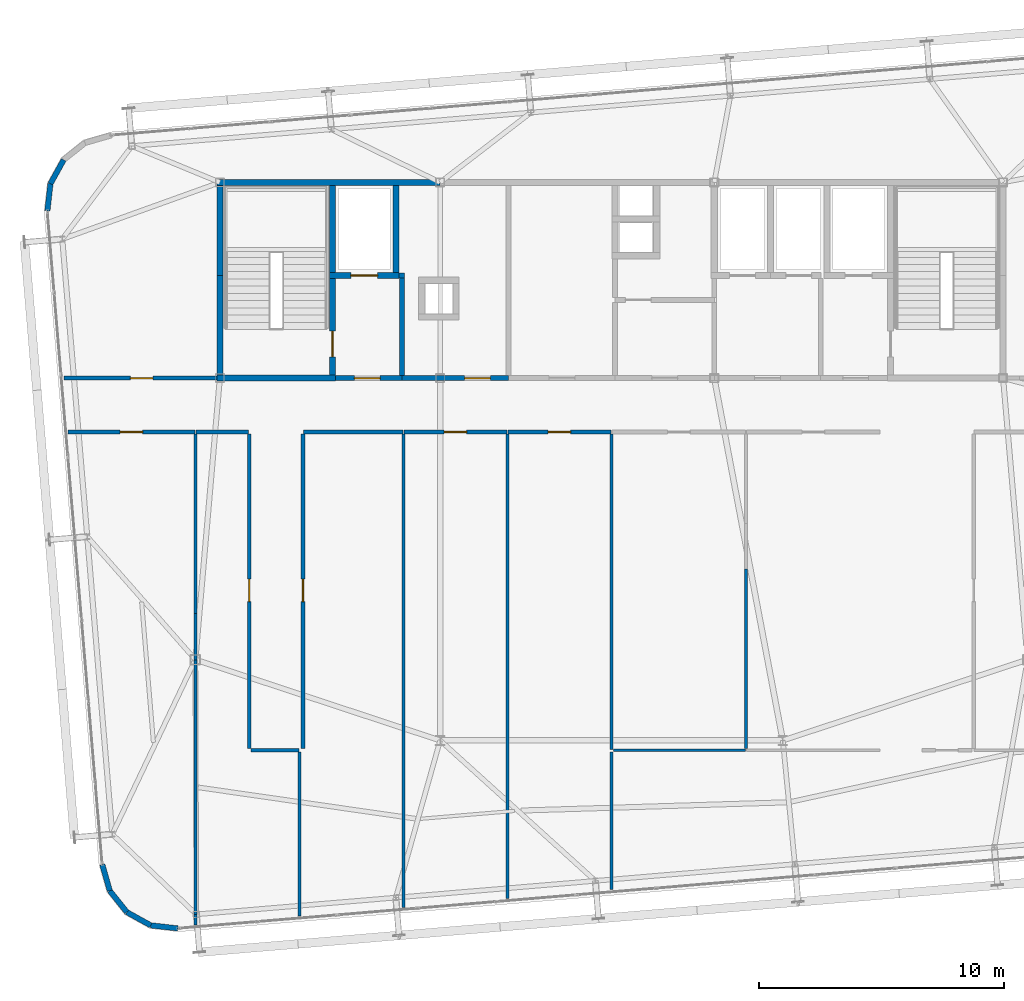
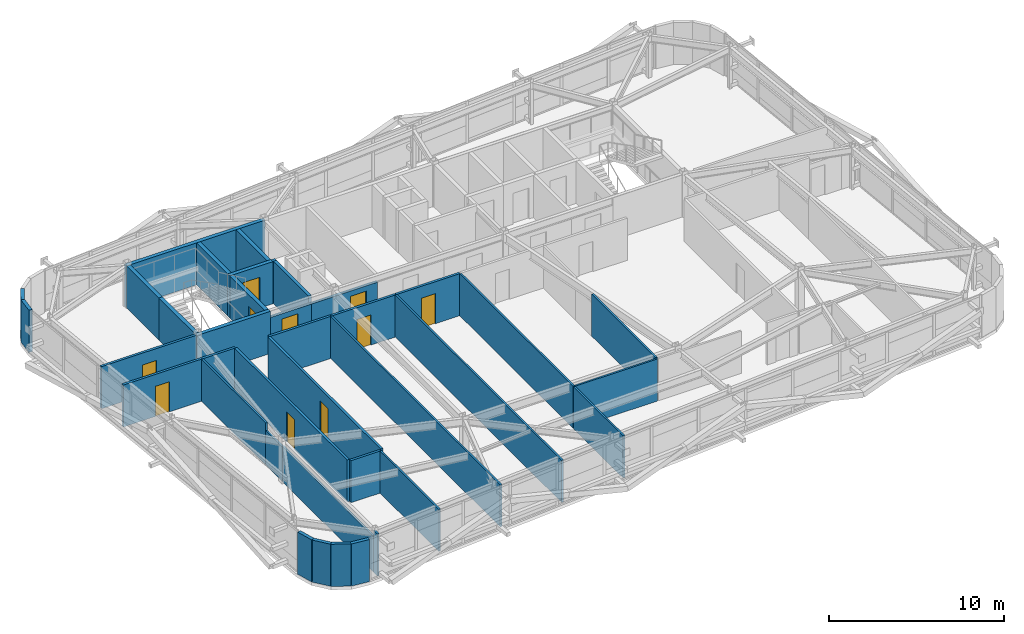
# One storey, part 40 of 44: 38 walls, 10 doors, 10 openings.
"""IFC4 building model written with IfcOpenShell, lengths in metres."""

from ifc_helpers import new_model, si_unit, direction, frame, frame_2d, origin, place, context, subcontext, project, spatial, rectangle, extrude, source, transform, mapped, material, layer, layer_set, type_object, element, fill, save


model = new_model("IFC4")

# Units and contexts
model_context = context("Model", 3, precision=1e-05, world=origin(), true_north=direction((0.0, 1.0)))
body_context = subcontext(model_context, "Body", "Model", "MODEL_VIEW")
ifc_project = project(units=[si_unit("LENGTHUNIT", "METRE"), si_unit("AREAUNIT", "SQUARE_METRE"), si_unit("VOLUMEUNIT", "CUBIC_METRE"), si_unit("PLANEANGLEUNIT", "RADIAN"), si_unit("MASSUNIT", "GRAM", prefix="KILO")], contexts=[model_context])

# Site, building, storey
site_placement = place(None, origin())
site = spatial("IfcSite", under=ifc_project, at=site_placement, CompositionType="ELEMENT")
building_placement = place(site_placement, origin())
building = spatial("IfcBuilding", under=site, at=building_placement, Name="Taldren Reach Tower", CompositionType="ELEMENT")
storey_placement = place(building_placement, frame((0.0, 0.0, 191.449951171875)))
storey = spatial("IfcBuildingStorey", under=building, at=storey_placement, Name="L58", CompositionType="ELEMENT", Elevation=191.449951171875)

# Walls
ifc_material_1 = material(Name="Pale Champagne Anodised Aluminium Cladding", Category="aluminium")
ifc_layer_1 = layer(ifc_material_1, 0.04, Name="Pale Champagne Anodised Aluminium Cladding", Category="aluminium")
ifc_material_2 = material(Name="Mineral Wool Acoustic Insulation", Category="insulation")
ifc_layer_2 = layer(ifc_material_2, 0.06, Name="Mineral Wool Acoustic Insulation", Category="insulation")
ifc_material_3 = material(Name="Steel Gr 350 (C350L0)", Category="steel")
ifc_layer_3 = layer(ifc_material_3, 0.12, Name="Steel Gr 350 (C350L0)", Category="steel")
ifc_layer_set_1 = layer_set([ifc_layer_1, ifc_layer_2, ifc_layer_3], Name="Pale Champagne Aluminium Cladding and Steel Gr 350 Stud Framing")
wall_type_1 = type_object("IfcWallType", Name="EW-CRN-220", PredefinedType="SOLIDWALL", material=ifc_layer_set_1)
shared_shape_1 = source(origin(), body_context, "Body", "SweptSolid", [
    extrude(rectangle(XDim=1.115966796875, YDim=0.219970703125, at=frame_2d((0.55810546875, 0.0))), origin(), (0.0, 0.0, 1.0), 2.929931640625),
])
for number, where, z_axis, x_axis, name in (
    (1, (12.618896484375, 32.9208984375, 0.0), (0.0, 0.0, 1.0), (-0.484100585842, -0.875012355791, 0.0), "Rounded-corner pale-metal facade wall L58-NW3"),
    (2, (12.07861328125, 31.9443359375, 0.0), (0.0, 0.0, 1.0), (-0.112232247342, -0.993682002784, 0.0), "Rounded-corner pale-metal facade wall L58-NW4"),
    (3, (14.19580078125, 4.129638671875, 0.0), (0.0, 0.0, 1.0), (0.276512002475, -0.961010464297, 0.0), "Rounded-corner pale-metal facade wall L58-SW1"),
    (4, (14.50439453125, 3.05712890625, 0.0), (0.0, 0.0, 1.0), (0.623092886403, -0.782147847222, 0.0), "Rounded-corner pale-metal facade wall L58-SW2"),
    (5, (15.19970703125, 2.184326171875, 0.0), (0.0, 0.0, 1.0), (0.875105012065, -0.483933071672, 0.0), "Rounded-corner pale-metal facade wall L58-SW3"),
    (6, (16.17626953125, 1.644287109375, 0.0), (0.0, 0.0, 1.0), (0.993657581277, -0.112448259968, 0.0), "Rounded-corner pale-metal facade wall L58-SW4"),
):
    element("IfcWall", number, at=place(storey_placement, frame(where, z_axis=z_axis, x_axis=x_axis)), inside=storey, type_object=wall_type_1, Name=name, PredefinedType="SOLIDWALL", context=body_context, shape_type="MappedRepresentation", body=[
        mapped(shared_shape_1, transform((0.0, 0.0, 0.0), scale=1.0)),
    ])

# Wall, opening, door
ifc_material_4 = material(Name="Concrete S50 (50 MPa)", Category="concrete")
ifc_layer_4 = layer(ifc_material_4, 0.199951171875)
ifc_layer_set_2 = layer_set([ifc_layer_4], Name="Concrete S50 (50 MPa)")
wall_type_2 = type_object("IfcWallType", Name="IW-CORE-200", PredefinedType="SOLIDWALL", material=ifc_layer_set_2)
shared_shape_2 = source(origin(), body_context, "Body", "SweptSolid", [
    extrude(rectangle(XDim=4.35009765625, YDim=0.199951171875, at=frame_2d((2.175048828125, 0.0))), origin(), (0.0, 0.0, 1.0), 2.469970703125),
])
wall_1_placement = place(storey_placement, frame((30.800048828125, 24.0, 0.0), z_axis=(0.0, 0.0, 1.0), x_axis=(-1.0, 0.0, 0.0)))
wall_1 = element("IfcWall", 7, at=wall_1_placement, inside=storey, type_object=wall_type_2, Name="Rear Core Shear Wall W-INT-L58-033", PredefinedType="SOLIDWALL", context=body_context, shape_type="MappedRepresentation", body=[
    mapped(shared_shape_2, transform((0.0, 0.0, 0.0), scale=1.0)),
])
shared_shape_3 = source(origin(), body_context, "Body", "SweptSolid", [
    extrude(rectangle(XDim=1.050048828125, YDim=2.10009765625, at=frame_2d((0.52490234375, 1.050048828125))), frame((0.0, 0.10986328125, 0.0), z_axis=(0.0, -1.0, 0.0), x_axis=(1.0, 0.0, 0.0)), (0.0, 0.0, 1.0), 0.219970703125),
])
opening_1_placement = place(wall_1_placement, frame((0.75, 0.0, 0.0)))
opening_1 = element("IfcOpeningElement", 8, at=opening_1_placement, cuts=wall_1, Name="Opening DF-105", PredefinedType="OPENING", context=body_context, shape_type="MappedRepresentation", body=[
    mapped(shared_shape_3, transform((0.0, 0.0, 0.0), scale=1.0)),
])
ifc_material_5 = material(Name="Fire-Rated Care and Stair Exit Door")
door_type_1 = type_object("IfcDoorType", Name="ID-FIRE-105", OperationType="NOTDEFINED", PredefinedType="DOOR", material=ifc_material_5)
shared_shape_4 = source(origin(), body_context, "Body", "SweptSolid", [
    extrude(rectangle(XDim=1.050048828125, YDim=2.10009765625, at=frame_2d((0.52490234375, 1.050048828125))), frame((0.0, 0.02490234375, 0.0), z_axis=(0.0, -1.0, 0.0), x_axis=(1.0, 0.0, 0.0)), (0.0, 0.0, 1.0), 0.050048828125),
])
door_1_placement = place(opening_1_placement, frame((1.050048828125, 0.0, 0.0), z_axis=(0.0, 0.0, 1.0), x_axis=(-1.0, 0.0, 0.0)))
door_1 = element("IfcDoor", 9, at=door_1_placement, inside=storey, type_object=door_type_1, Name="Interior Door DR-L58-006", OperationType="SINGLE_SWING_RIGHT", OverallHeight=2.10009765625, OverallWidth=1.050048828125, PredefinedType="DOOR", context=body_context, shape_type="MappedRepresentation", body=[
    mapped(shared_shape_4, transform((0.0, 0.0, 0.0), scale=1.0)),
])
fill(opening_1, door_1)

# Walls
ifc_material_6 = material(Name="Insulated Residential Stud Partition", Category="gypsum")
ifc_layer_5 = layer(ifc_material_6, 0.1201171875)
ifc_layer_set_3 = layer_set([ifc_layer_5], Name="Insulated Residential Stud Partition")
wall_type_3 = type_object("IfcWallType", Name="IW-PART-120", PredefinedType="PARTITIONING", material=ifc_layer_set_3)
shared_shape_5 = source(origin(), body_context, "Body", "SweptSolid", [
    extrude(rectangle(XDim=5.399658203125, YDim=0.1201171875, at=frame_2d((2.69970703125, 0.0))), origin(), (0.0, 0.0, 1.0), 2.929931640625),
])
wall_2_placement = place(storey_placement, frame((35.080078125, 8.800048828125, 0.0), z_axis=(0.0, 0.0, 1.0), x_axis=(1.0, 0.0, 0.0)))
element("IfcWall", 10, at=wall_2_placement, inside=storey, type_object=wall_type_3, Name="Interior Partition Wall W-INT-L58-056", PredefinedType="PARTITIONING", context=body_context, shape_type="MappedRepresentation", body=[
    mapped(shared_shape_5, transform((0.0, 0.0, 0.0), scale=1.0)),
])
ifc_material_7 = material(Name="Fire-Rated Acoustic Plasterboard Stud Wall", Category="gypsum")
ifc_layer_6 = layer(ifc_material_7, 0.159912109375)
ifc_layer_set_4 = layer_set([ifc_layer_6], Name="Fire-Rated Acoustic Plasterboard Stud Wall")
wall_type_4 = type_object("IfcWallType", Name="IW-FIRE-160", PredefinedType="PARTITIONING", material=ifc_layer_set_4)
shared_shape_6 = source(origin(), body_context, "Body", "SweptSolid", [
    extrude(rectangle(XDim=4.059326171875, YDim=0.159912109375, at=frame_2d((2.02978515625, 0.0))), origin(), (0.0, 0.0, 1.0), 2.929931640625),
])
wall_3_placement = place(storey_placement, frame((26.479736328125, 21.800048828125, 0.0), z_axis=(0.0, 0.0, 1.0), x_axis=(-1.0, 0.0, 0.0)))
element("IfcWall", 11, at=wall_3_placement, inside=storey, type_object=wall_type_4, Name="Interior Partition Wall W-INT-L58-046", PredefinedType="PARTITIONING", context=body_context, shape_type="MappedRepresentation", body=[
    mapped(shared_shape_6, transform((0.0, 0.0, 0.0), scale=1.0)),
])
shared_shape_7 = source(origin(), body_context, "Body", "SweptSolid", [
    extrude(rectangle(XDim=2.159423828125, YDim=0.159912109375, at=frame_2d((1.07958984375, 0.0))), origin(), (0.0, 0.0, 1.0), 2.929931640625),
])
wall_4_placement = place(storey_placement, frame((20.1796875, 21.800048828125, 0.0), z_axis=(0.0, 0.0, 1.0), x_axis=(-1.0, 0.0, 0.0)))
element("IfcWall", 12, at=wall_4_placement, inside=storey, type_object=wall_type_4, Name="Interior Partition Wall W-INT-L58-043", PredefinedType="PARTITIONING", context=body_context, shape_type="MappedRepresentation", body=[
    mapped(shared_shape_7, transform((0.0, 0.0, 0.0), scale=1.0)),
])
shared_shape_8 = source(origin(), body_context, "Body", "SweptSolid", [
    extrude(rectangle(XDim=4.0, YDim=0.199951171875, at=frame_2d((2.0, 0.0))), origin(), (0.0, 0.0, 1.0), 2.929931640625),
])
wall_5_placement = place(storey_placement, frame((26.449951171875, 24.10009765625, 0.0), z_axis=(0.0, 0.0, 1.0), x_axis=(0.0, 1.0, 0.0)))
element("IfcWall", 13, at=wall_5_placement, inside=storey, type_object=wall_type_2, Name="Rear Core Shear Wall W-INT-L58-006", PredefinedType="SOLIDWALL", context=body_context, shape_type="MappedRepresentation", body=[
    mapped(shared_shape_8, transform((0.0, 0.0, 0.0), scale=1.0)),
])
shared_shape_9 = source(origin(), body_context, "Body", "SweptSolid", [
    extrude(rectangle(XDim=7.32373046875, YDim=0.1201171875, at=frame_2d((3.661865234375, 0.0))), origin(), (0.0, 0.0, 1.0), 2.929931640625),
])
wall_6_placement = place(storey_placement, frame((18.0, 21.719970703125, 0.0), z_axis=(0.0, 0.0, 1.0), x_axis=(0.0, -1.0, 0.0)))
element("IfcWall", 14, at=wall_6_placement, inside=storey, type_object=wall_type_3, Name="Interior Partition Wall W-INT-L58-060", PredefinedType="PARTITIONING", context=body_context, shape_type="MappedRepresentation", body=[
    mapped(shared_shape_9, transform((0.0, 0.0, 0.0), scale=1.0)),
])
shared_shape_10 = source(origin(), body_context, "Body", "SweptSolid", [
    extrude(rectangle(XDim=1.9013671875, YDim=0.1201171875, at=frame_2d((0.95068359375, 0.0))), origin(), (0.0, 0.0, 1.0), 2.39697265625),
])
wall_7_placement = place(storey_placement, frame((18.0, 14.396240234375, 0.0), z_axis=(0.0, 0.0, 1.0), x_axis=(0.0, -1.0, 0.0)))
element("IfcWall", 15, at=wall_7_placement, inside=storey, type_object=wall_type_3, Name="Interior Partition Wall W-INT-L58-060 part 2", PredefinedType="PARTITIONING", context=body_context, shape_type="MappedRepresentation", body=[
    mapped(shared_shape_10, transform((0.0, 0.0, 0.0), scale=1.0)),
])
ifc_material_8 = material(Name="Concrete S65 (65 MPa)", Category="concrete")
ifc_layer_7 = layer(ifc_material_8, 0.25)
ifc_layer_set_5 = layer_set([ifc_layer_7], Name="Concrete S65 (65 MPa)")
wall_type_5 = type_object("IfcWallType", Name="IW-CORE-250", PredefinedType="SHEAR", material=ifc_layer_set_5)
shared_shape_11 = source(origin(), body_context, "Body", "SweptSolid", [
    extrude(rectangle(XDim=9.125, YDim=0.25, at=frame_2d((4.5625, 0.0))), origin(), (0.0, 0.0, 1.0), 2.929931640625),
])
wall_8_placement = place(storey_placement, frame((18.875, 32.0, 0.0), z_axis=(0.0, 0.0, 1.0), x_axis=(1.0, 0.0, 0.0)))
element("IfcWall", 16, at=wall_8_placement, inside=storey, type_object=wall_type_5, Name="Rear Core Shear Wall W-CORE-L58-NORTH1", PredefinedType="SHEAR", context=body_context, shape_type="MappedRepresentation", body=[
    mapped(shared_shape_11, transform((0.0, 0.0, 0.0), scale=1.0)),
])
shared_shape_12 = source(origin(), body_context, "Body", "SweptSolid", [
    extrude(rectangle(XDim=4.074951171875, YDim=0.25, at=frame_2d((2.03759765625, 0.0))), origin(), (0.0, 0.0, 1.0), 2.929931640625),
])
wall_9_placement = place(storey_placement, frame((19.0, 24.125, 0.0), z_axis=(0.0, 0.0, 1.0), x_axis=(0.0, 1.0, 0.0)))
element("IfcWall", 17, at=wall_9_placement, inside=storey, type_object=wall_type_5, Name="Rear Core Shear Wall W-CORE-L58-WEST1", PredefinedType="SHEAR", context=body_context, shape_type="MappedRepresentation", body=[
    mapped(shared_shape_12, transform((0.0, 0.0, 0.0), scale=1.0)),
])
shared_shape_13 = source(origin(), body_context, "Body", "SweptSolid", [
    extrude(rectangle(XDim=3.675048828125, YDim=0.25, at=frame_2d((1.83740234375, 0.0))), origin(), (0.0, 0.0, 1.0), 2.929931640625),
])
wall_10_placement = place(storey_placement, frame((19.0, 28.199951171875, 0.0), z_axis=(0.0, 0.0, 1.0), x_axis=(0.0, 1.0, 0.0)))
element("IfcWall", 18, at=wall_10_placement, inside=storey, type_object=wall_type_5, Name="Rear Core Shear Wall W-CORE-L58-WEST2", PredefinedType="SHEAR", context=body_context, shape_type="MappedRepresentation", body=[
    mapped(shared_shape_13, transform((0.0, 0.0, 0.0), scale=1.0)),
])
shared_shape_14 = source(origin(), body_context, "Body", "SweptSolid", [
    extrude(rectangle(XDim=3.550048828125, YDim=0.25, at=frame_2d((1.77490234375, 0.0))), origin(), (0.0, 0.0, 1.0), 2.929931640625),
])
for number, where, z_axis, x_axis, name in (
    (19, (23.60009765625, 28.324951171875, 0.0), (0.0, 0.0, 1.0), (0.0, 1.0, 0.0), "Rear Core Shear Wall W-INT-L58-001"),
    (20, (26.199951171875, 28.324951171875, 0.0), (0.0, 0.0, 1.0), (0.0, 1.0, 0.0), "Rear Core Shear Wall W-INT-L58-005"),
):
    element("IfcWall", number, at=place(storey_placement, frame(where, z_axis=z_axis, x_axis=x_axis)), inside=storey, type_object=wall_type_5, Name=name, PredefinedType="SHEAR", context=body_context, shape_type="MappedRepresentation", body=[
        mapped(shared_shape_14, transform((0.0, 0.0, 0.0), scale=1.0)),
    ])

# Wall, opening, door
shared_shape_15 = source(origin(), body_context, "Body", "SweptSolid", [
    extrude(rectangle(XDim=3.949951171875, YDim=0.25, at=frame_2d((1.97509765625, 0.0))), origin(), (0.0, 0.0, 1.0), 2.929931640625),
])
wall_11_placement = place(storey_placement, frame((23.60009765625, 24.125, 0.0), z_axis=(0.0, 0.0, 1.0), x_axis=(0.0, 1.0, 0.0)))
wall_11 = element("IfcWall", 21, at=wall_11_placement, inside=storey, type_object=wall_type_5, Name="Rear Core Shear Wall W-INT-L58-002", PredefinedType="SHEAR", context=body_context, shape_type="MappedRepresentation", body=[
    mapped(shared_shape_15, transform((0.0, 0.0, 0.0), scale=1.0)),
])
shared_shape_16 = source(origin(), body_context, "Body", "SweptSolid", [
    extrude(rectangle(XDim=1.050048828125, YDim=2.10009765625, at=frame_2d((0.52490234375, 1.050048828125))), frame((0.0, 0.135009765625, 0.0), z_axis=(0.0, -1.0, 0.0), x_axis=(1.0, 0.0, 0.0)), (0.0, 0.0, 1.0), 0.27001953125),
])
opening_2_placement = place(wall_11_placement, frame((0.75, 0.0, 0.0)))
opening_2 = element("IfcOpeningElement", 22, at=opening_2_placement, cuts=wall_11, Name="Opening DF-105", PredefinedType="OPENING", context=body_context, shape_type="MappedRepresentation", body=[
    mapped(shared_shape_16, transform((0.0, 0.0, 0.0), scale=1.0)),
])
door_2_placement = place(opening_2_placement, origin())
door_2 = element("IfcDoor", 23, at=door_2_placement, inside=storey, type_object=door_type_1, Name="Fire Exit Stair Door DR-L58-001", OperationType="SINGLE_SWING_LEFT", OverallHeight=2.10009765625, OverallWidth=1.050048828125, PredefinedType="DOOR", context=body_context, shape_type="MappedRepresentation", body=[
    mapped(shared_shape_4, transform((0.0, 0.0, 0.0), scale=1.0)),
])
fill(opening_2, door_2)

# Wall
shared_shape_17 = source(origin(), body_context, "Body", "SweptSolid", [
    extrude(rectangle(XDim=4.85009765625, YDim=0.25, at=frame_2d((2.425048828125, 0.0))), origin(), (0.0, 0.0, 1.0), 2.929931640625),
])
wall_12_placement = place(storey_placement, frame((18.875, 24.0, 0.0), z_axis=(0.0, 0.0, 1.0), x_axis=(1.0, 0.0, 0.0)))
element("IfcWall", 24, at=wall_12_placement, inside=storey, type_object=wall_type_5, Name="Rear Core Shear Wall W-INT-L58-003", PredefinedType="SHEAR", context=body_context, shape_type="MappedRepresentation", body=[
    mapped(shared_shape_17, transform((0.0, 0.0, 0.0), scale=1.0)),
])

# Wall, opening, door
shared_shape_18 = source(origin(), body_context, "Body", "SweptSolid", [
    extrude(rectangle(XDim=2.849853515625, YDim=0.25, at=frame_2d((1.4248046875, 0.0))), origin(), (0.0, 0.0, 1.0), 2.929931640625),
])
wall_13_placement = place(storey_placement, frame((23.47509765625, 28.199951171875, 0.0), z_axis=(0.0, 0.0, 1.0), x_axis=(1.0, 0.0, 0.0)))
wall_13 = element("IfcWall", 25, at=wall_13_placement, inside=storey, type_object=wall_type_5, Name="Rear Core Shear Wall W-INT-L58-004", PredefinedType="SHEAR", context=body_context, shape_type="MappedRepresentation", body=[
    mapped(shared_shape_18, transform((0.0, 0.0, 0.0), scale=1.0)),
])
shared_shape_19 = source(origin(), body_context, "Body", "SweptSolid", [
    extrude(rectangle(XDim=1.10009765625, YDim=2.14990234375, at=frame_2d((0.550048828125, 1.074951171875))), frame((0.0, 0.135009765625, 0.0), z_axis=(0.0, -1.0, 0.0), x_axis=(1.0, 0.0, 0.0)), (0.0, 0.0, 1.0), 0.27001953125),
])
opening_3_placement = place(wall_13_placement, frame((0.875, 0.0, 0.0)))
opening_3 = element("IfcOpeningElement", 26, at=opening_3_placement, cuts=wall_13, Name="Opening LD-FL1", PredefinedType="OPENING", context=body_context, shape_type="MappedRepresentation", body=[
    mapped(shared_shape_19, transform((0.0, 0.0, 0.0), scale=1.0)),
])
ifc_material_9 = material(Name="Stainless Steel Gr 316 Emergency Lift Landing Door", Category="steel")
door_type_2 = type_object("IfcDoorType", Name="LD-EMG-110", OperationType="SLIDING_TO_LEFT", PredefinedType="DOOR", material=ifc_material_9)
shared_shape_20 = source(origin(), body_context, "Body", "SweptSolid", [
    extrude(rectangle(XDim=1.10009765625, YDim=2.14990234375, at=frame_2d((0.550048828125, 1.074951171875))), frame((0.0, 0.02490234375, 0.0), z_axis=(0.0, -1.0, 0.0), x_axis=(1.0, 0.0, 0.0)), (0.0, 0.0, 1.0), 0.050048828125),
])
door_3_placement = place(opening_3_placement, origin())
door_3 = element("IfcDoor", 27, at=door_3_placement, inside=storey, type_object=door_type_2, Name="Lift Landing Door LD-FL1-L58", OperationType="SLIDING_TO_LEFT", OverallHeight=2.14990234375, OverallWidth=1.10009765625, PredefinedType="DOOR", context=body_context, shape_type="MappedRepresentation", body=[
    mapped(shared_shape_20, transform((0.0, 0.0, 0.0), scale=1.0)),
])
fill(opening_3, door_3)

shared_shape_21 = source(origin(), body_context, "Body", "SweptSolid", [
    extrude(rectangle(XDim=2.724853515625, YDim=0.199951171875, at=frame_2d((1.3623046875, 0.0))), origin(), (0.0, 0.0, 1.0), 2.469970703125),
])
wall_14_placement = place(storey_placement, frame((23.72509765625, 24.0, 0.0), z_axis=(0.0, 0.0, 1.0), x_axis=(1.0, 0.0, 0.0)))
wall_14 = element("IfcWall", 28, at=wall_14_placement, inside=storey, type_object=wall_type_2, Name="Rear Core Shear Wall W-INT-L58-007", PredefinedType="SOLIDWALL", context=body_context, shape_type="MappedRepresentation", body=[
    mapped(shared_shape_21, transform((0.0, 0.0, 0.0), scale=1.0)),
])
opening_4_placement = place(wall_14_placement, frame((0.77490234375, 0.0, 0.0)))
opening_4 = element("IfcOpeningElement", 29, at=opening_4_placement, cuts=wall_14, Name="Opening DF-105", PredefinedType="OPENING", context=body_context, shape_type="MappedRepresentation", body=[
    mapped(shared_shape_3, transform((0.0, 0.0, 0.0), scale=1.0)),
])
door_4_placement = place(opening_4_placement, origin())
door_4 = element("IfcDoor", 30, at=door_4_placement, inside=storey, type_object=door_type_1, Name="Interior Door DR-L58-002", OperationType="SINGLE_SWING_LEFT", OverallHeight=2.10009765625, OverallWidth=1.050048828125, PredefinedType="DOOR", context=body_context, shape_type="MappedRepresentation", body=[
    mapped(shared_shape_4, transform((0.0, 0.0, 0.0), scale=1.0)),
])
fill(opening_4, door_4)

shared_shape_22 = source(origin(), body_context, "Body", "SweptSolid", [
    extrude(rectangle(XDim=6.250732421875, YDim=0.159912109375, at=frame_2d((3.12548828125, 0.0))), origin(), (0.0, 0.0, 1.0), 2.929931640625),
])
wall_15_placement = place(storey_placement, frame((12.624267578125, 24.0, 0.0), z_axis=(0.0, 0.0, 1.0), x_axis=(1.0, 0.0, 0.0)))
wall_15 = element("IfcWall", 31, at=wall_15_placement, inside=storey, type_object=wall_type_4, Name="Interior Partition Wall W-INT-L58-040", PredefinedType="PARTITIONING", context=body_context, shape_type="MappedRepresentation", body=[
    mapped(shared_shape_22, transform((0.0, 0.0, 0.0), scale=1.0)),
])
shared_shape_23 = source(origin(), body_context, "Body", "SweptSolid", [
    extrude(rectangle(XDim=0.919921875, YDim=2.10009765625, at=frame_2d((0.4599609375, 1.050048828125))), frame((0.0, 0.08984375, 0.0), z_axis=(0.0, -1.0, 0.0), x_axis=(1.0, 0.0, 0.0)), (0.0, 0.0, 1.0), 0.179931640625),
])
opening_5_placement = place(wall_15_placement, frame((2.7177734375, 0.0, 0.0)))
opening_5 = element("IfcOpeningElement", 32, at=opening_5_placement, cuts=wall_15, Name="Opening DI-092", PredefinedType="OPENING", context=body_context, shape_type="MappedRepresentation", body=[
    mapped(shared_shape_23, transform((0.0, 0.0, 0.0), scale=1.0)),
])
ifc_material_10 = material(Name="Solid-Core Timber Suite Door", Category="wood")
door_type_3 = type_object("IfcDoorType", Name="ID-INT-092", OperationType="NOTDEFINED", PredefinedType="DOOR", material=ifc_material_10)
shared_shape_24 = source(origin(), body_context, "Body", "SweptSolid", [
    extrude(rectangle(XDim=0.919921875, YDim=2.10009765625, at=frame_2d((0.4599609375, 1.050048828125))), frame((0.0, 0.02490234375, 0.0), z_axis=(0.0, -1.0, 0.0), x_axis=(1.0, 0.0, 0.0)), (0.0, 0.0, 1.0), 0.050048828125),
])
door_5_placement = place(opening_5_placement, origin())
door_5 = element("IfcDoor", 33, at=door_5_placement, inside=storey, type_object=door_type_3, Name="Interior Door DR-L58-011", OperationType="SINGLE_SWING_RIGHT", OverallHeight=2.10009765625, OverallWidth=0.919921875, PredefinedType="DOOR", context=body_context, shape_type="MappedRepresentation", body=[
    mapped(shared_shape_24, transform((0.0, 0.0, 0.0), scale=1.0)),
])
fill(opening_5, door_5)

shared_shape_25 = source(origin(), body_context, "Body", "SweptSolid", [
    extrude(rectangle(XDim=12.840087890625, YDim=0.159912109375, at=frame_2d((6.419921875, 0.0))), origin(), (0.0, 0.0, 1.0), 2.929931640625),
])
wall_16_placement = place(storey_placement, frame((20.199951171875, 8.8798828125, 0.0), z_axis=(0.0, 0.0, 1.0), x_axis=(0.0, 1.0, 0.0)))
wall_16 = element("IfcWall", 34, at=wall_16_placement, inside=storey, type_object=wall_type_4, Name="Interior Partition Wall W-INT-L58-042", PredefinedType="PARTITIONING", context=body_context, shape_type="MappedRepresentation", body=[
    mapped(shared_shape_25, transform((0.0, 0.0, 0.0), scale=1.0)),
])
opening_6_placement = place(wall_16_placement, frame((5.98974609375, 0.0, 0.0)))
opening_6 = element("IfcOpeningElement", 35, at=opening_6_placement, cuts=wall_16, Name="Opening DI-092", PredefinedType="OPENING", context=body_context, shape_type="MappedRepresentation", body=[
    mapped(shared_shape_23, transform((0.0, 0.0, 0.0), scale=1.0)),
])
door_6_placement = place(opening_6_placement, origin())
door_6 = element("IfcDoor", 36, at=door_6_placement, inside=storey, type_object=door_type_3, Name="Interior Door DR-L58-013", OperationType="SINGLE_SWING_RIGHT", OverallHeight=2.10009765625, OverallWidth=0.919921875, PredefinedType="DOOR", context=body_context, shape_type="MappedRepresentation", body=[
    mapped(shared_shape_24, transform((0.0, 0.0, 0.0), scale=1.0)),
])
fill(opening_6, door_6)

wall_17_placement = place(storey_placement, frame((22.39990234375, 21.719970703125, 0.0), z_axis=(0.0, 0.0, 1.0), x_axis=(0.0, -1.0, 0.0)))
wall_17 = element("IfcWall", 37, at=wall_17_placement, inside=storey, type_object=wall_type_4, Name="Interior Partition Wall W-INT-L58-045", PredefinedType="PARTITIONING", context=body_context, shape_type="MappedRepresentation", body=[
    mapped(shared_shape_25, transform((0.0, 0.0, 0.0), scale=1.0)),
])
opening_7_placement = place(wall_17_placement, frame((5.93017578125, 0.0, 0.0)))
opening_7 = element("IfcOpeningElement", 38, at=opening_7_placement, cuts=wall_17, Name="Opening DI-092", PredefinedType="OPENING", context=body_context, shape_type="MappedRepresentation", body=[
    mapped(shared_shape_23, transform((0.0, 0.0, 0.0), scale=1.0)),
])
door_7_placement = place(opening_7_placement, origin())
door_7 = element("IfcDoor", 39, at=door_7_placement, inside=storey, type_object=door_type_3, Name="Interior Door DR-L58-014", OperationType="SINGLE_SWING_LEFT", OverallHeight=2.10009765625, OverallWidth=0.919921875, PredefinedType="DOOR", context=body_context, shape_type="MappedRepresentation", body=[
    mapped(shared_shape_24, transform((0.0, 0.0, 0.0), scale=1.0)),
])
fill(opening_7, door_7)

# Wall
shared_shape_26 = source(origin(), body_context, "Body", "SweptSolid", [
    extrude(rectangle(XDim=0.22509765625, YDim=0.199951171875, at=frame_2d((0.112548828125, 0.0))), origin(), (0.0, 0.0, 1.0), 2.929931640625),
])
wall_18_placement = place(storey_placement, frame((26.324951171875, 28.199951171875, 0.0), z_axis=(0.0, 0.0, 1.0), x_axis=(1.0, 0.0, 0.0)))
element("IfcWall", 40, at=wall_18_placement, inside=storey, type_object=wall_type_2, Name="Rear Core Partition Wall W-INT-L58-067", PredefinedType="SOLIDWALL", context=body_context, shape_type="MappedRepresentation", body=[
    mapped(shared_shape_26, transform((0.0, 0.0, 0.0), scale=1.0)),
])

# Wall, opening, door
shared_shape_27 = source(origin(), body_context, "Body", "SweptSolid", [
    extrude(rectangle(XDim=5.18408203125, YDim=0.159912109375, at=frame_2d((2.592041015625, 0.0))), origin(), (0.0, 0.0, 1.0), 2.929931640625),
])
wall_19_placement = place(storey_placement, frame((17.979736328125, 21.800048828125, 0.0), z_axis=(0.0, 0.0, 1.0), x_axis=(-1.0, 0.0, 0.0)))
wall_19 = element("IfcWall", 41, at=wall_19_placement, inside=storey, type_object=wall_type_4, Name="Interior Partition Wall W-INT-L58-041", PredefinedType="PARTITIONING", context=body_context, shape_type="MappedRepresentation", body=[
    mapped(shared_shape_27, transform((0.0, 0.0, 0.0), scale=1.0)),
])
opening_8_placement = place(wall_19_placement, frame((2.132080078125, 0.0, 0.0)))
opening_8 = element("IfcOpeningElement", 42, at=opening_8_placement, cuts=wall_19, Name="Opening DI-092", PredefinedType="OPENING", context=body_context, shape_type="MappedRepresentation", body=[
    mapped(shared_shape_23, transform((0.0, 0.0, 0.0), scale=1.0)),
])
door_8_placement = place(opening_8_placement, origin())
door_8 = element("IfcDoor", 43, at=door_8_placement, inside=storey, type_object=door_type_3, Name="Interior Door DR-L58-012", OperationType="SINGLE_SWING_LEFT", OverallHeight=2.10009765625, OverallWidth=0.919921875, PredefinedType="DOOR", context=body_context, shape_type="MappedRepresentation", body=[
    mapped(shared_shape_24, transform((0.0, 0.0, 0.0), scale=1.0)),
])
fill(opening_8, door_8)

# Wall
shared_shape_28 = source(origin(), body_context, "Body", "SweptSolid", [
    extrude(rectangle(XDim=1.94970703125, YDim=0.159912109375, at=frame_2d((0.974853515625, 0.0))), origin(), (0.0, 0.0, 1.0), 2.929931640625),
])
wall_20_placement = place(storey_placement, frame((22.229736328125, 8.800048828125, 0.0), z_axis=(0.0, 0.0, 1.0), x_axis=(-1.0, 0.0, 0.0)))
element("IfcWall", 44, at=wall_20_placement, inside=storey, type_object=wall_type_4, Name="Interior Partition Wall W-INT-L58-044", PredefinedType="PARTITIONING", context=body_context, shape_type="MappedRepresentation", body=[
    mapped(shared_shape_28, transform((0.0, 0.0, 0.0), scale=1.0)),
])

# Wall, opening, door
shared_shape_29 = source(origin(), body_context, "Body", "SweptSolid", [
    extrude(rectangle(XDim=4.20947265625, YDim=0.159912109375, at=frame_2d((2.104736328125, 0.0))), origin(), (0.0, 0.0, 1.0), 2.929931640625),
])
wall_21_placement = place(storey_placement, frame((30.729736328125, 21.800048828125, 0.0), z_axis=(0.0, 0.0, 1.0), x_axis=(-1.0, 0.0, 0.0)))
wall_21 = element("IfcWall", 45, at=wall_21_placement, inside=storey, type_object=wall_type_4, Name="Interior Partition Wall W-INT-L58-047", PredefinedType="PARTITIONING", context=body_context, shape_type="MappedRepresentation", body=[
    mapped(shared_shape_29, transform((0.0, 0.0, 0.0), scale=1.0)),
])
opening_9_placement = place(wall_21_placement, frame((1.644775390625, 0.0, 0.0)))
opening_9 = element("IfcOpeningElement", 46, at=opening_9_placement, cuts=wall_21, Name="Opening DI-092", PredefinedType="OPENING", context=body_context, shape_type="MappedRepresentation", body=[
    mapped(shared_shape_23, transform((0.0, 0.0, 0.0), scale=1.0)),
])
door_9_placement = place(opening_9_placement, origin())
door_9 = element("IfcDoor", 47, at=door_9_placement, inside=storey, type_object=door_type_3, Name="Interior Door DR-L58-015", OperationType="SINGLE_SWING_RIGHT", OverallHeight=2.10009765625, OverallWidth=0.919921875, PredefinedType="DOOR", context=body_context, shape_type="MappedRepresentation", body=[
    mapped(shared_shape_24, transform((0.0, 0.0, 0.0), scale=1.0)),
])
fill(opening_9, door_9)

wall_22_placement = place(storey_placement, frame((34.979736328125, 21.800048828125, 0.0), z_axis=(0.0, 0.0, 1.0), x_axis=(-1.0, 0.0, 0.0)))
wall_22 = element("IfcWall", 48, at=wall_22_placement, inside=storey, type_object=wall_type_4, Name="Interior Partition Wall W-INT-L58-048", PredefinedType="PARTITIONING", context=body_context, shape_type="MappedRepresentation", body=[
    mapped(shared_shape_29, transform((0.0, 0.0, 0.0), scale=1.0)),
])
opening_10_placement = place(wall_22_placement, frame((1.644775390625, 0.0, 0.0)))
opening_10 = element("IfcOpeningElement", 49, at=opening_10_placement, cuts=wall_22, Name="Opening DI-092", PredefinedType="OPENING", context=body_context, shape_type="MappedRepresentation", body=[
    mapped(shared_shape_23, transform((0.0, 0.0, 0.0), scale=1.0)),
])
door_10_placement = place(opening_10_placement, origin())
door_10 = element("IfcDoor", 50, at=door_10_placement, inside=storey, type_object=door_type_3, Name="Interior Door DR-L58-016", OperationType="SINGLE_SWING_LEFT", OverallHeight=2.10009765625, OverallWidth=0.919921875, PredefinedType="DOOR", context=body_context, shape_type="MappedRepresentation", body=[
    mapped(shared_shape_24, transform((0.0, 0.0, 0.0), scale=1.0)),
])
fill(opening_10, door_10)

# Walls
shared_shape_30 = source(origin(), body_context, "Body", "SweptSolid", [
    extrude(rectangle(XDim=5.616455078125, YDim=0.1201171875, at=frame_2d((2.80810546875, 0.0))), origin(), (0.0, 0.0, 1.0), 2.929931640625),
])
wall_23_placement = place(storey_placement, frame((35.0, 3.103515625, 0.0), z_axis=(0.0, 0.0, 1.0), x_axis=(0.0, 1.0, 0.0)))
element("IfcWall", 51, at=wall_23_placement, inside=storey, type_object=wall_type_3, Name="Interior Partition Wall W-INT-L58-055", PredefinedType="PARTITIONING", context=body_context, shape_type="MappedRepresentation", body=[
    mapped(shared_shape_30, transform((0.0, 0.0, 0.0), scale=1.0)),
])
shared_shape_31 = source(origin(), body_context, "Body", "SweptSolid", [
    extrude(rectangle(XDim=10.401123046875, YDim=0.1201171875, at=frame_2d((5.20068359375, 0.0))), origin(), (0.0, 0.0, 1.0), 2.469970703125),
])
wall_24_placement = place(storey_placement, frame((18.0, 12.494873046875, 0.0), z_axis=(0.0, 0.0, 1.0), x_axis=(0.0, -1.0, 0.0)))
element("IfcWall", 52, at=wall_24_placement, inside=storey, type_object=wall_type_3, Name="Interior Partition Wall W-INT-L58-060 part 3", PredefinedType="PARTITIONING", context=body_context, shape_type="MappedRepresentation", body=[
    mapped(shared_shape_31, transform((0.0, 0.0, 0.0), scale=1.0)),
])
shared_shape_32 = source(origin(), body_context, "Body", "SweptSolid", [
    extrude(rectangle(XDim=0.43115234375, YDim=0.1201171875, at=frame_2d((0.215576171875, 0.0))), origin(), (0.0, 0.0, 1.0), 2.929931640625),
])
wall_25_placement = place(storey_placement, frame((18.0, 2.09375, 0.0), z_axis=(0.0, 0.0, 1.0), x_axis=(0.0, -1.0, 0.0)))
element("IfcWall", 53, at=wall_25_placement, inside=storey, type_object=wall_type_3, Name="Interior Partition Wall W-INT-L58-060 part 4", PredefinedType="PARTITIONING", context=body_context, shape_type="MappedRepresentation", body=[
    mapped(shared_shape_32, transform((0.0, 0.0, 0.0), scale=1.0)),
])
shared_shape_33 = source(origin(), body_context, "Body", "SweptSolid", [
    extrude(rectangle(XDim=6.70068359375, YDim=0.1201171875, at=frame_2d((3.350341796875, 0.0))), origin(), (0.0, 0.0, 1.0), 2.929931640625),
])
wall_26_placement = place(storey_placement, frame((22.25, 8.719970703125, 0.0), z_axis=(0.0, 0.0, 1.0), x_axis=(0.0, -1.0, 0.0)))
element("IfcWall", 54, at=wall_26_placement, inside=storey, type_object=wall_type_3, Name="Interior Partition Wall W-INT-L58-061", PredefinedType="PARTITIONING", context=body_context, shape_type="MappedRepresentation", body=[
    mapped(shared_shape_33, transform((0.0, 0.0, 0.0), scale=1.0)),
])
shared_shape_34 = source(origin(), body_context, "Body", "SweptSolid", [
    extrude(rectangle(XDim=19.33984375, YDim=0.1201171875, at=frame_2d((9.669921875, 0.0))), origin(), (0.0, 0.0, 1.0), 2.929931640625),
])
wall_27_placement = place(storey_placement, frame((26.5, 21.718017578125, 0.0), z_axis=(0.0, 0.0, 1.0), x_axis=(0.0, -1.0, 0.0)))
element("IfcWall", 55, at=wall_27_placement, inside=storey, type_object=wall_type_3, Name="Interior Partition Wall W-INT-L58-062", PredefinedType="PARTITIONING", context=body_context, shape_type="MappedRepresentation", body=[
    mapped(shared_shape_34, transform((0.0, 0.0, 0.0), scale=1.0)),
])
shared_shape_35 = source(origin(), body_context, "Body", "SweptSolid", [
    extrude(rectangle(XDim=18.98681640625, YDim=0.1201171875, at=frame_2d((9.493408203125, 0.0))), origin(), (0.0, 0.0, 1.0), 2.929931640625),
])
wall_28_placement = place(storey_placement, frame((30.75, 21.719970703125, 0.0), z_axis=(0.0, 0.0, 1.0), x_axis=(0.0, -1.0, 0.0)))
element("IfcWall", 56, at=wall_28_placement, inside=storey, type_object=wall_type_3, Name="Interior Partition Wall W-INT-L58-063", PredefinedType="PARTITIONING", context=body_context, shape_type="MappedRepresentation", body=[
    mapped(shared_shape_35, transform((0.0, 0.0, 0.0), scale=1.0)),
])
shared_shape_36 = source(origin(), body_context, "Body", "SweptSolid", [
    extrude(rectangle(XDim=12.897705078125, YDim=0.1201171875, at=frame_2d((6.44873046875, 0.0))), origin(), (0.0, 0.0, 1.0), 2.929931640625),
])
wall_29_placement = place(storey_placement, frame((35.0, 21.718017578125, 0.0), z_axis=(0.0, 0.0, 1.0), x_axis=(0.0, -1.0, 0.0)))
element("IfcWall", 57, at=wall_29_placement, inside=storey, type_object=wall_type_3, Name="Interior Partition Wall W-INT-L58-064", PredefinedType="PARTITIONING", context=body_context, shape_type="MappedRepresentation", body=[
    mapped(shared_shape_36, transform((0.0, 0.0, 0.0), scale=1.0)),
])
shared_shape_37 = source(origin(), body_context, "Body", "SweptSolid", [
    extrude(rectangle(XDim=7.318359375, YDim=0.1201171875, at=frame_2d((3.6591796875, 0.0))), origin(), (0.0, 0.0, 1.0), 2.929931640625),
])
wall_30_placement = place(storey_placement, frame((40.5, 16.1982421875, 0.0), z_axis=(0.0, 0.0, 1.0), x_axis=(0.0, -1.0, 0.0)))
element("IfcWall", 58, at=wall_30_placement, inside=storey, type_object=wall_type_3, Name="Interior Partition Wall W-INT-L58-065 part 3", PredefinedType="PARTITIONING", context=body_context, shape_type="MappedRepresentation", body=[
    mapped(shared_shape_37, transform((0.0, 0.0, 0.0), scale=1.0)),
])

save(model, "model.ifc")
